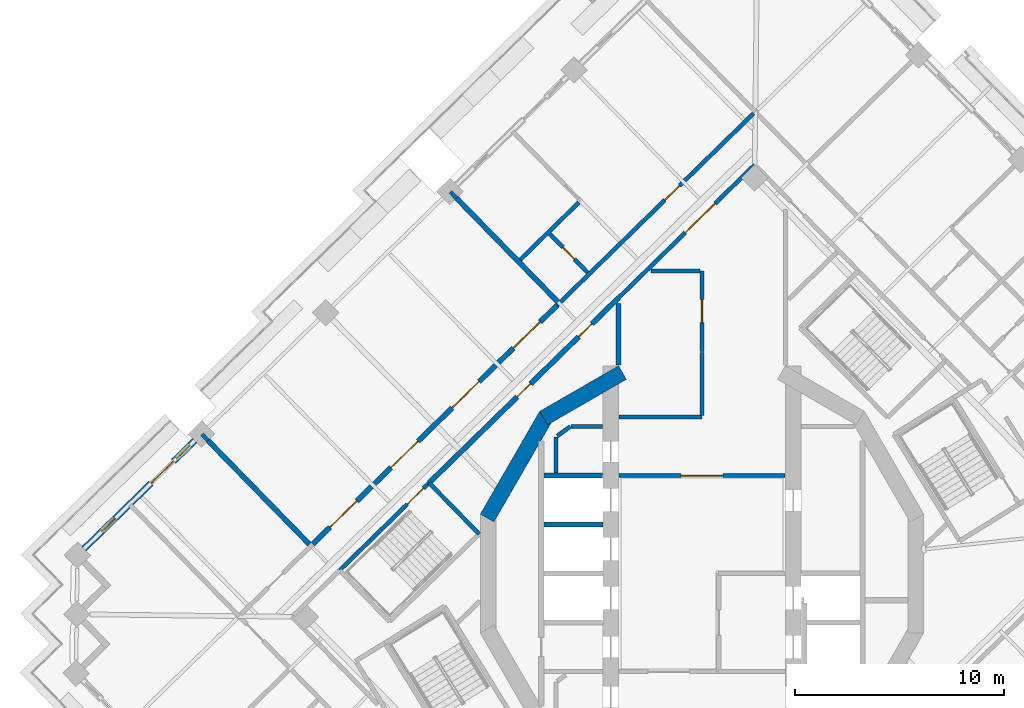
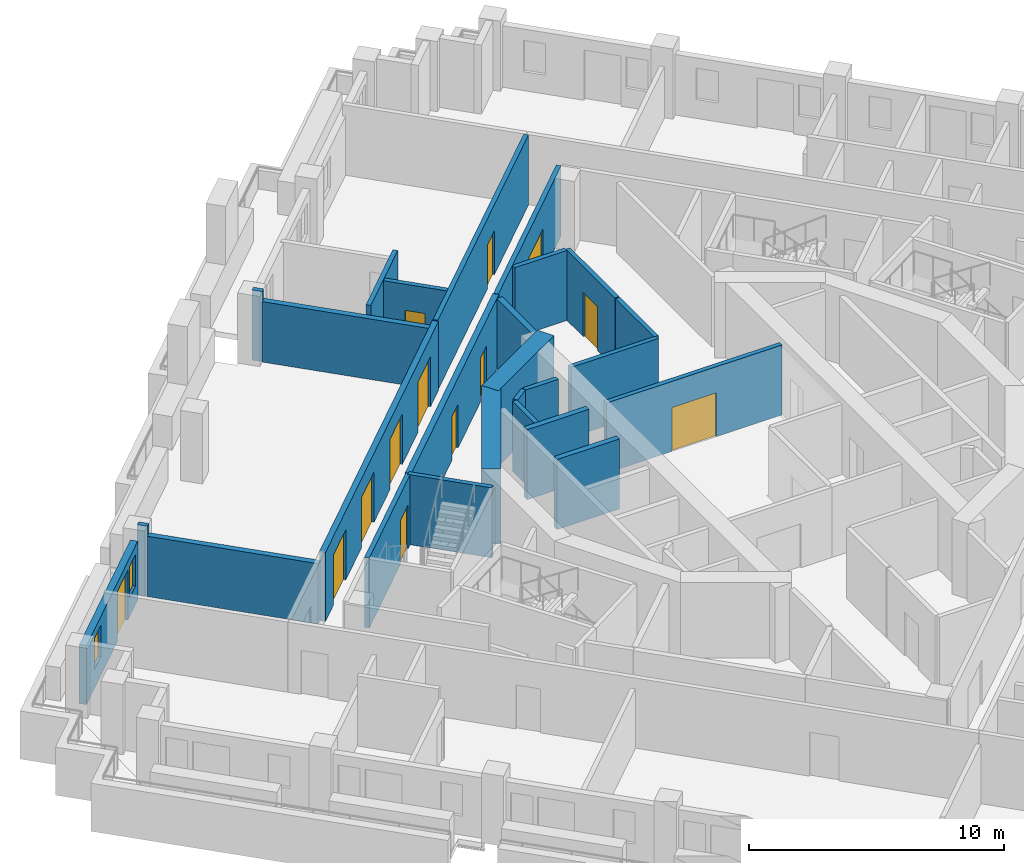
# One storey, part 8 of 17: 26 walls, 13 doors, 2 windows, 15 openings.
"""IFC4 building model written with IfcOpenShell, lengths in metres."""

from ifc_helpers import new_model, si_unit, direction, frame, frame_2d, origin, place, context, subcontext, project, spatial, rectangle, extrude, material, layer, layer_set, type_object, element, fill, save


model = new_model("IFC4")

# Units and contexts
model_context = context("Model", 3, precision=1e-05, world=origin(), true_north=direction((0.0, 1.0)))
body_context = subcontext(model_context, "Body", "Model", "MODEL_VIEW")
ifc_project = project(units=[si_unit("LENGTHUNIT", "METRE"), si_unit("AREAUNIT", "SQUARE_METRE"), si_unit("VOLUMEUNIT", "CUBIC_METRE"), si_unit("PLANEANGLEUNIT", "RADIAN"), si_unit("MASSUNIT", "GRAM", prefix="KILO")], contexts=[model_context])

# Site, building, storey
site_placement = place(None, origin())
site = spatial("IfcSite", under=ifc_project, at=site_placement, CompositionType="ELEMENT")
building_placement = place(site_placement, origin())
building = spatial("IfcBuilding", under=site, at=building_placement, Name="Cantera Rosa Tower", CompositionType="ELEMENT")
storey_placement = place(building_placement, frame((0.0, 0.0, 227.0)))
storey = spatial("IfcBuildingStorey", under=building, at=storey_placement, Name="L49", CompositionType="ELEMENT", Elevation=227.0)

# Wall, opening, door
ifc_material_1 = material(Name="Gypsum board partition")
ifc_layer_1 = layer(ifc_material_1, 0.199951171875)
ifc_layer_set_1 = layer_set([ifc_layer_1], Name="CORRIDOR WALL 200 H3350")
wall_type_1 = type_object("IfcWallType", Name="CORRIDOR WALL 200 H3350", PredefinedType="PARTITIONING", material=ifc_layer_set_1)
wall_1_placement = place(storey_placement, frame((-3.969970703125, 4.699951171875, 0.0), z_axis=(0.0, 0.0, 1.0), x_axis=(1.0, 0.0, 0.0)))
wall_1 = element("IfcWall", 1, at=wall_1_placement, inside=storey, type_object=wall_type_1, Name="CORRIDOR WALL L49-050", PredefinedType="PARTITIONING", context=body_context, shape_type="SweptSolid", body=[
    extrude(rectangle(XDim=7.93994140625, YDim=0.199951171875, at=frame_2d((3.969970703125, 0.0))), origin(), (0.0, 0.0, 1.0), 3.35009765625),
])
opening_1_placement = place(wall_1_placement, frame((2.969970703125, 0.0, 0.0)))
opening_1 = element("IfcOpeningElement", 2, at=opening_1_placement, cuts=wall_1, Name="Opening L49-014", PredefinedType="OPENING", context=body_context, shape_type="SweptSolid", body=[
    extrude(rectangle(XDim=2.0, YDim=2.10009765625, at=frame_2d((1.0, 1.050048828125))), frame((0.0, 0.10986328125, 0.0), z_axis=(0.0, -1.0, 0.0), x_axis=(1.0, 0.0, 0.0)), (0.0, 0.0, 1.0), 0.219970703125),
])
ifc_material_2 = material(Name="Steel S355J2 (EN 10025-2)", Category="steel")
door_type_1 = type_object("IfcDoorType", Name="LOBBY SCREEN DOOR 2000x2100", OperationType="NOTDEFINED", PredefinedType="DOOR", material=ifc_material_2)
door_1_placement = place(opening_1_placement, origin())
door_1 = element("IfcDoor", 3, at=door_1_placement, inside=storey, type_object=door_type_1, Name="DOOR L49-014", OperationType="NOTDEFINED", OverallHeight=2.10009765625, OverallWidth=2.0, PredefinedType="DOOR", context=body_context, shape_type="SweptSolid", body=[
    extrude(rectangle(XDim=2.0, YDim=2.10009765625, at=frame_2d((1.0, 1.050048828125))), frame((0.0, 0.02490234375, 0.0), z_axis=(0.0, -1.0, 0.0), x_axis=(1.0, 0.0, 0.0)), (0.0, 0.0, 1.0), 0.050048828125),
])
fill(opening_1, door_1)

# Walls
wall_2_placement = place(storey_placement, frame((-3.969970703125, 7.5, 0.0), z_axis=(0.0, 0.0, 1.0), x_axis=(1.0, 0.0, 0.0)))
element("IfcWall", 4, at=wall_2_placement, inside=storey, type_object=wall_type_1, Name="CORRIDOR WALL L49-051", PredefinedType="PARTITIONING", context=body_context, shape_type="SweptSolid", body=[
    extrude(rectangle(XDim=3.969970703125, YDim=0.199951171875, at=frame_2d((1.98486328125, 0.0))), origin(), (0.0, 0.0, 1.0), 3.35009765625),
])
wall_3_placement = place(storey_placement, frame((0.0, 7.580078125, 0.0), z_axis=(0.0, 0.0, 1.0), x_axis=(0.0, 1.0, 0.0)))
element("IfcWall", 5, at=wall_3_placement, inside=storey, type_object=wall_type_1, Name="CORRIDOR WALL L49-059", PredefinedType="PARTITIONING", context=body_context, shape_type="SweptSolid", body=[
    extrude(rectangle(XDim=3.01513671875, YDim=0.199951171875, at=frame_2d((1.507568359375, 0.0))), origin(), (0.0, 0.0, 1.0), 3.35009765625),
])

# Wall, opening, door
wall_4_placement = place(storey_placement, frame((0.0, 10.6552734375, 0.0), z_axis=(0.0, 0.0, 1.0), x_axis=(0.0, 1.0, 0.0)))
wall_4 = element("IfcWall", 6, at=wall_4_placement, inside=storey, type_object=wall_type_1, Name="CORRIDOR WALL L49-060", PredefinedType="PARTITIONING", context=body_context, shape_type="SweptSolid", body=[
    extrude(rectangle(XDim=3.8447265625, YDim=0.199951171875, at=frame_2d((1.92236328125, 0.0))), origin(), (0.0, 0.0, 1.0), 3.35009765625),
])
opening_2_placement = place(wall_4_placement, frame((1.372314453125, 0.0, 0.0)))
opening_2 = element("IfcOpeningElement", 7, at=opening_2_placement, cuts=wall_4, Name="Opening L49-018", PredefinedType="OPENING", context=body_context, shape_type="SweptSolid", body=[
    extrude(rectangle(XDim=1.10009765625, YDim=2.10009765625, at=frame_2d((0.550048828125, 1.050048828125))), frame((0.0, 0.10986328125, 0.0), z_axis=(0.0, -1.0, 0.0), x_axis=(1.0, 0.0, 0.0)), (0.0, 0.0, 1.0), 0.219970703125),
])
ifc_material_3 = material(Name="Timber door leaf", Category="wood")
door_type_2 = type_object("IfcDoorType", Name="ROOM DOOR 1100x2100", OperationType="NOTDEFINED", PredefinedType="DOOR", material=ifc_material_3)
door_2_placement = place(opening_2_placement, origin())
door_2 = element("IfcDoor", 8, at=door_2_placement, inside=storey, type_object=door_type_2, Name="DOOR L49-018", OperationType="NOTDEFINED", OverallHeight=2.10009765625, OverallWidth=1.10009765625, PredefinedType="DOOR", context=body_context, shape_type="SweptSolid", body=[
    extrude(rectangle(XDim=1.10009765625, YDim=2.10009765625, at=frame_2d((0.550048828125, 1.050048828125))), frame((0.0, 0.02490234375, 0.0), z_axis=(0.0, -1.0, 0.0), x_axis=(1.0, 0.0, 0.0)), (0.0, 0.0, 1.0), 0.050048828125),
])
fill(opening_2, door_2)

# Wall
wall_5_placement = place(storey_placement, frame((-0.10009765625, 14.5, 0.0), z_axis=(0.0, 0.0, 1.0), x_axis=(-1.0, 0.0, 0.0)))
element("IfcWall", 9, at=wall_5_placement, inside=storey, type_object=wall_type_1, Name="CORRIDOR WALL L49-061", PredefinedType="PARTITIONING", context=body_context, shape_type="SweptSolid", body=[
    extrude(rectangle(XDim=2.34765625, YDim=0.199951171875, at=frame_2d((1.173828125, 0.0))), origin(), (0.0, 0.0, 1.0), 3.35009765625),
])

# Wall, opening, door
wall_6_placement = place(storey_placement, frame((2.5263671875, 19.593994140625, 0.0), z_axis=(0.0, 0.0, 1.0), x_axis=(-0.715291692415, -0.698826011796, 0.0)))
wall_6 = element("IfcWall", 10, at=wall_6_placement, inside=storey, type_object=wall_type_1, Name="CORRIDOR WALL L49-066", PredefinedType="PARTITIONING", context=body_context, shape_type="SweptSolid", body=[
    extrude(rectangle(XDim=9.10400390625, YDim=0.199951171875, at=frame_2d((4.552001953125, 0.0))), origin(), (0.0, 0.0, 1.0), 3.35009765625),
])
opening_3_placement = place(wall_6_placement, frame((2.644775390625, 0.0, 0.0)))
opening_3 = element("IfcOpeningElement", 11, at=opening_3_placement, cuts=wall_6, Name="Opening L49-013", PredefinedType="OPENING", context=body_context, shape_type="SweptSolid", body=[
    extrude(rectangle(XDim=2.0, YDim=2.10009765625, at=frame_2d((1.0, 1.050048828125))), frame((0.0, 0.10986328125, 0.0), z_axis=(0.0, -1.0, 0.0), x_axis=(1.0, 0.0, 0.0)), (0.0, 0.0, 1.0), 0.219970703125),
])
door_3_placement = place(opening_3_placement, origin())
door_3 = element("IfcDoor", 12, at=door_3_placement, inside=storey, type_object=door_type_1, Name="DOOR L49-013", OperationType="NOTDEFINED", OverallHeight=2.10009765625, OverallWidth=2.0, PredefinedType="DOOR", context=body_context, shape_type="SweptSolid", body=[
    extrude(rectangle(XDim=2.0, YDim=2.10009765625, at=frame_2d((1.0, 1.050048828125))), frame((0.0, 0.02490234375, 0.0), z_axis=(0.0, -1.0, 0.0), x_axis=(1.0, 0.0, 0.0)), (0.0, 0.0, 1.0), 0.050048828125),
])
fill(opening_3, door_3)

wall_7_placement = place(storey_placement, frame((2.469970703125, 22.0556640625, 0.0), z_axis=(0.0, 0.0, 1.0), x_axis=(-0.715286788114, -0.698831031616, 0.0)))
wall_7 = element("IfcWall", 13, at=wall_7_placement, inside=storey, type_object=wall_type_1, Name="CORRIDOR WALL L49-067", PredefinedType="PARTITIONING", context=body_context, shape_type="SweptSolid", body=[
    extrude(rectangle(XDim=13.144775390625, YDim=0.199951171875, at=frame_2d((6.572265625, 0.0))), origin(), (0.0, 0.0, 1.0), 3.35009765625),
])
opening_4_placement = place(wall_7_placement, frame((4.949951171875, 0.0, 0.0)))
opening_4 = element("IfcOpeningElement", 14, at=opening_4_placement, cuts=wall_7, Name="Opening L49-034", PredefinedType="OPENING", context=body_context, shape_type="SweptSolid", body=[
    extrude(rectangle(XDim=1.0, YDim=2.10009765625, at=frame_2d((0.5, 1.050048828125))), frame((0.0, 0.10986328125, 0.0), z_axis=(0.0, -1.0, 0.0), x_axis=(1.0, 0.0, 0.0)), (0.0, 0.0, 1.0), 0.219970703125),
])
ifc_material_4 = material(Name="Timber door leaf", Category="wood")
door_type_3 = type_object("IfcDoorType", Name="ENTRANCE DOOR 1000x2100", OperationType="NOTDEFINED", PredefinedType="DOOR", material=ifc_material_4)
door_4_placement = place(opening_4_placement, origin())
door_4 = element("IfcDoor", 15, at=door_4_placement, inside=storey, type_object=door_type_3, Name="DOOR L49-034", OperationType="NOTDEFINED", OverallHeight=2.10009765625, OverallWidth=1.0, PredefinedType="DOOR", context=body_context, shape_type="SweptSolid", body=[
    extrude(rectangle(XDim=1.0, YDim=2.10009765625, at=frame_2d((0.5, 1.050048828125))), frame((0.0, 0.02490234375, 0.0), z_axis=(0.0, -1.0, 0.0), x_axis=(1.0, 0.0, 0.0)), (0.0, 0.0, 1.0), 0.050048828125),
])
fill(opening_4, door_4)

# Wall, openings, windows, door
ifc_material_5 = material(Name="Hollow clay masonry with cantera stone cladding", Category="masonry")
ifc_layer_2 = layer(ifc_material_5, 0.300048828125)
ifc_layer_set_2 = layer_set([ifc_layer_2], Name="EW-LOGGIA 300 H2820")
wall_type_2 = type_object("IfcWallType", Name="EW-LOGGIA 300 H2820", PredefinedType="SOLIDWALL", material=ifc_layer_set_2)
wall_8_placement = place(storey_placement, frame((-24.308349609375, 6.37841796875, 0.0), z_axis=(0.0, 0.0, 1.0), x_axis=(-0.715300826176, -0.698816662703, 0.0)))
wall_8 = element("IfcWall", 16, at=wall_8_placement, inside=storey, type_object=wall_type_2, Name="EN-L49-W11", PredefinedType="SOLIDWALL", context=body_context, shape_type="SweptSolid", body=[
    extrude(rectangle(XDim=7.420166015625, YDim=0.300048828125, at=frame_2d((3.7099609375, 0.0))), origin(), (0.0, 0.0, 1.0), 2.820068359375),
])
opening_5_placement = place(wall_8_placement, frame((0.330078125, 0.0, 0.89990234375)))
opening_5 = element("IfcOpeningElement", 17, at=opening_5_placement, cuts=wall_8, Name="Opening L49-W19", PredefinedType="OPENING", context=body_context, shape_type="SweptSolid", body=[
    extrude(rectangle(XDim=0.89990234375, YDim=1.5, at=frame_2d((0.449951171875, 0.75))), frame((0.0, 0.159912109375, 0.0), z_axis=(0.0, -1.0, 0.0), x_axis=(1.0, 0.0, 0.0)), (0.0, 0.0, 1.0), 0.320068359375),
])
opening_6_placement = place(wall_8_placement, frame((1.429931640625, 0.0, 0.0)))
opening_6 = element("IfcOpeningElement", 18, at=opening_6_placement, cuts=wall_8, Name="Opening L49-TD20", PredefinedType="OPENING", context=body_context, shape_type="SweptSolid", body=[
    extrude(rectangle(XDim=1.5, YDim=2.39990234375, at=frame_2d((0.75, 1.199951171875))), frame((0.0, 0.159912109375, 0.0), z_axis=(0.0, -1.0, 0.0), x_axis=(1.0, 0.0, 0.0)), (0.0, 0.0, 1.0), 0.320068359375),
])
opening_7_placement = place(wall_8_placement, frame((5.340087890625, 0.0, 0.89990234375)))
opening_7 = element("IfcOpeningElement", 19, at=opening_7_placement, cuts=wall_8, Name="Opening L49-W21", PredefinedType="OPENING", context=body_context, shape_type="SweptSolid", body=[
    extrude(rectangle(XDim=0.89990234375, YDim=1.5, at=frame_2d((0.449951171875, 0.75))), frame((0.0, 0.159912109375, 0.0), z_axis=(0.0, -1.0, 0.0), x_axis=(1.0, 0.0, 0.0)), (0.0, 0.0, 1.0), 0.320068359375),
])
ifc_material_6 = material(Name="Aluminium frame with clear glass", Category="aluminium")
window_type = type_object("IfcWindowType", Name="Residential window 900x1500", PartitioningType="SINGLE_PANEL", PredefinedType="WINDOW", material=ifc_material_6)
window_1_placement = place(opening_5_placement, origin())
window_1 = element("IfcWindow", 20, at=window_1_placement, inside=storey, type_object=window_type, Name="WINDOW L49-W19", OverallHeight=1.5, OverallWidth=0.89990234375, PartitioningType="SINGLE_PANEL", PredefinedType="WINDOW", context=body_context, shape_type="SweptSolid", body=[
    extrude(rectangle(XDim=0.89990234375, YDim=1.5, at=frame_2d((0.449951171875, 0.75))), frame((0.0, 0.030029296875, 0.0), z_axis=(0.0, -1.0, 0.0), x_axis=(1.0, 0.0, 0.0)), (0.0, 0.0, 1.0), 0.06005859375),
])
fill(opening_5, window_1)
window_2_placement = place(opening_7_placement, origin())
window_2 = element("IfcWindow", 21, at=window_2_placement, inside=storey, type_object=window_type, Name="WINDOW L49-W21", OverallHeight=1.5, OverallWidth=0.89990234375, PartitioningType="SINGLE_PANEL", PredefinedType="WINDOW", context=body_context, shape_type="SweptSolid", body=[
    extrude(rectangle(XDim=0.89990234375, YDim=1.5, at=frame_2d((0.449951171875, 0.75))), frame((0.0, 0.030029296875, 0.0), z_axis=(0.0, -1.0, 0.0), x_axis=(1.0, 0.0, 0.0)), (0.0, 0.0, 1.0), 0.06005859375),
])
fill(opening_7, window_2)
ifc_material_7 = material(Name="Aluminium frame with clear glass", Category="aluminium")
door_type_4 = type_object("IfcDoorType", Name="TD-R 1500x2400", OperationType="NOTDEFINED", PredefinedType="DOOR", material=ifc_material_7)
door_5_placement = place(opening_6_placement, origin())
door_5 = element("IfcDoor", 22, at=door_5_placement, inside=storey, type_object=door_type_4, Name="LOGGIA DOOR L49-TD20", OperationType="SLIDING_TO_LEFT", OverallHeight=2.39990234375, OverallWidth=1.5, PredefinedType="DOOR", context=body_context, shape_type="SweptSolid", body=[
    extrude(rectangle(XDim=1.5, YDim=2.39990234375, at=frame_2d((0.75, 1.199951171875))), frame((0.0, 0.02490234375, 0.0), z_axis=(0.0, -1.0, 0.0), x_axis=(1.0, 0.0, 0.0)), (0.0, 0.0, 1.0), 0.050048828125),
])
fill(opening_6, door_5)

# Walls
ifc_material_8 = material(Name="Concrete C40/50", Category="concrete")
ifc_layer_3 = layer(ifc_material_8, 0.25)
ifc_layer_set_3 = layer_set([ifc_layer_3], Name="EW-POCKET CHEEK 250 H2890")
wall_type_3 = type_object("IfcWallType", Name="EW-POCKET CHEEK 250 H2890", PredefinedType="SOLIDWALL", material=ifc_layer_set_3)
wall_9_placement = place(storey_placement, frame((-11.769775390625, 17.999755859375, 0.0), z_axis=(0.0, 0.0, 1.0), x_axis=(0.698821460183, -0.715296139223, 0.0)))
element("IfcWall", 23, at=wall_9_placement, inside=storey, type_object=wall_type_3, Name="POCKET CHEEK A L49", PredefinedType="SOLIDWALL", context=body_context, shape_type="SweptSolid", body=[
    extrude(rectangle(XDim=6.9501953125, YDim=0.25, at=frame_2d((3.47509765625, 0.0))), origin(), (0.0, 0.0, 1.0), 2.889892578125),
])
wall_10_placement = place(storey_placement, frame((-23.672119140625, 6.37109375, 0.0), z_axis=(0.0, 0.0, 1.0), x_axis=(0.69883901927, -0.715278984135, 0.0)))
element("IfcWall", 24, at=wall_10_placement, inside=storey, type_object=wall_type_3, Name="POCKET CHEEK B L49", PredefinedType="SOLIDWALL", context=body_context, shape_type="SweptSolid", body=[
    extrude(rectangle(XDim=6.949951171875, YDim=0.25, at=frame_2d((3.47509765625, 0.0))), origin(), (0.0, 0.0, 1.0), 2.889892578125),
])

# Wall, openings, doors
ifc_material_9 = material(Name="Hollow clay masonry with cantera stone cladding", Category="masonry")
ifc_layer_4 = layer(ifc_material_9, 0.25)
ifc_layer_set_4 = layer_set([ifc_layer_4], Name="EW-POCKET REAR 250")
wall_type_4 = type_object("IfcWallType", Name="EW-POCKET REAR 250", PredefinedType="SOLIDWALL", material=ifc_layer_set_4)
wall_11_placement = place(storey_placement, frame((-6.932373046875, 12.86962890625, 0.0), z_axis=(0.0, 0.0, 1.0), x_axis=(-0.715288729217, -0.698829044799, 0.0)))
wall_11 = element("IfcWall", 25, at=wall_11_placement, inside=storey, type_object=wall_type_4, Name="POCKET REAR L49", PredefinedType="SOLIDWALL", context=body_context, shape_type="SweptSolid", body=[
    extrude(rectangle(XDim=16.39013671875, YDim=0.25, at=frame_2d((8.195068359375, 0.0))), origin(), (0.0, 0.0, 1.0), 3.300048828125),
])
opening_8_placement = place(wall_11_placement, frame((1.148681640625, 0.0, 0.0)))
opening_8 = element("IfcOpeningElement", 26, at=opening_8_placement, cuts=wall_11, Name="Opening L49-LT01", PredefinedType="OPENING", context=body_context, shape_type="SweptSolid", body=[
    extrude(rectangle(XDim=1.800048828125, YDim=2.39990234375, at=frame_2d((0.89990234375, 1.199951171875))), frame((0.0, 0.135009765625, 0.0), z_axis=(0.0, -1.0, 0.0), x_axis=(1.0, 0.0, 0.0)), (0.0, 0.0, 1.0), 0.27001953125),
])
opening_9_placement = place(wall_11_placement, frame((5.246337890625, 0.0, 0.0)))
opening_9 = element("IfcOpeningElement", 27, at=opening_9_placement, cuts=wall_11, Name="Opening L49-LT02", PredefinedType="OPENING", context=body_context, shape_type="SweptSolid", body=[
    extrude(rectangle(XDim=1.800048828125, YDim=2.39990234375, at=frame_2d((0.89990234375, 1.199951171875))), frame((0.0, 0.135009765625, 0.0), z_axis=(0.0, -1.0, 0.0), x_axis=(1.0, 0.0, 0.0)), (0.0, 0.0, 1.0), 0.27001953125),
])
opening_10_placement = place(wall_11_placement, frame((9.34375, 0.0, 0.0)))
opening_10 = element("IfcOpeningElement", 28, at=opening_10_placement, cuts=wall_11, Name="Opening L49-LT03", PredefinedType="OPENING", context=body_context, shape_type="SweptSolid", body=[
    extrude(rectangle(XDim=1.800048828125, YDim=2.39990234375, at=frame_2d((0.89990234375, 1.199951171875))), frame((0.0, 0.135009765625, 0.0), z_axis=(0.0, -1.0, 0.0), x_axis=(1.0, 0.0, 0.0)), (0.0, 0.0, 1.0), 0.27001953125),
])
opening_11_placement = place(wall_11_placement, frame((13.441162109375, 0.0, 0.0)))
opening_11 = element("IfcOpeningElement", 29, at=opening_11_placement, cuts=wall_11, Name="Opening L49-LT04", PredefinedType="OPENING", context=body_context, shape_type="SweptSolid", body=[
    extrude(rectangle(XDim=1.800048828125, YDim=2.39990234375, at=frame_2d((0.89990234375, 1.199951171875))), frame((0.0, 0.135009765625, 0.0), z_axis=(0.0, -1.0, 0.0), x_axis=(1.0, 0.0, 0.0)), (0.0, 0.0, 1.0), 0.27001953125),
])
ifc_material_10 = material(Name="Aluminium frame with clear glass", Category="aluminium")
door_type_5 = type_object("IfcDoorType", Name="TD-T 1800x2400", OperationType="NOTDEFINED", PredefinedType="DOOR", material=ifc_material_10)
door_6_placement = place(opening_8_placement, origin())
door_6 = element("IfcDoor", 30, at=door_6_placement, inside=storey, type_object=door_type_5, Name="TERRACE DOOR L49-LT01", OperationType="DOUBLE_DOOR_SINGLE_SWING", OverallHeight=2.39990234375, OverallWidth=1.800048828125, PredefinedType="DOOR", context=body_context, shape_type="SweptSolid", body=[
    extrude(rectangle(XDim=1.800048828125, YDim=2.39990234375, at=frame_2d((0.89990234375, 1.199951171875))), frame((0.0, 0.02490234375, 0.0), z_axis=(0.0, -1.0, 0.0), x_axis=(1.0, 0.0, 0.0)), (0.0, 0.0, 1.0), 0.050048828125),
])
fill(opening_8, door_6)
door_7_placement = place(opening_9_placement, origin())
door_7 = element("IfcDoor", 31, at=door_7_placement, inside=storey, type_object=door_type_5, Name="TERRACE DOOR L49-LT02", OperationType="DOUBLE_DOOR_SINGLE_SWING", OverallHeight=2.39990234375, OverallWidth=1.800048828125, PredefinedType="DOOR", context=body_context, shape_type="SweptSolid", body=[
    extrude(rectangle(XDim=1.800048828125, YDim=2.39990234375, at=frame_2d((0.89990234375, 1.199951171875))), frame((0.0, 0.02490234375, 0.0), z_axis=(0.0, -1.0, 0.0), x_axis=(1.0, 0.0, 0.0)), (0.0, 0.0, 1.0), 0.050048828125),
])
fill(opening_9, door_7)
door_8_placement = place(opening_10_placement, origin())
door_8 = element("IfcDoor", 32, at=door_8_placement, inside=storey, type_object=door_type_5, Name="TERRACE DOOR L49-LT03", OperationType="DOUBLE_DOOR_SINGLE_SWING", OverallHeight=2.39990234375, OverallWidth=1.800048828125, PredefinedType="DOOR", context=body_context, shape_type="SweptSolid", body=[
    extrude(rectangle(XDim=1.800048828125, YDim=2.39990234375, at=frame_2d((0.89990234375, 1.199951171875))), frame((0.0, 0.02490234375, 0.0), z_axis=(0.0, -1.0, 0.0), x_axis=(1.0, 0.0, 0.0)), (0.0, 0.0, 1.0), 0.050048828125),
])
fill(opening_10, door_8)
door_9_placement = place(opening_11_placement, origin())
door_9 = element("IfcDoor", 33, at=door_9_placement, inside=storey, type_object=door_type_5, Name="TERRACE DOOR L49-LT04", OperationType="DOUBLE_DOOR_SINGLE_SWING", OverallHeight=2.39990234375, OverallWidth=1.800048828125, PredefinedType="DOOR", context=body_context, shape_type="SweptSolid", body=[
    extrude(rectangle(XDim=1.800048828125, YDim=2.39990234375, at=frame_2d((0.89990234375, 1.199951171875))), frame((0.0, 0.02490234375, 0.0), z_axis=(0.0, -1.0, 0.0), x_axis=(1.0, 0.0, 0.0)), (0.0, 0.0, 1.0), 0.050048828125),
])
fill(opening_11, door_9)

# Wall
ifc_material_11 = material(Name="Gypsum board partition")
ifc_layer_5 = layer(ifc_material_11, 0.199951171875)
ifc_layer_set_5 = layer_set([ifc_layer_5], Name="PARTITION 200 H3350")
wall_type_5 = type_object("IfcWallType", Name="PARTITION 200 H3350", PredefinedType="PARTITIONING", material=ifc_layer_set_5)
wall_12_placement = place(storey_placement, frame((-23.965576171875, 6.67138671875, 0.0), z_axis=(0.0, 0.0, 1.0), x_axis=(0.698919428836, -0.715200413867, 0.0)))
element("IfcWall", 34, at=wall_12_placement, inside=storey, type_object=wall_type_5, Name="PARTITION L49-002", PredefinedType="PARTITIONING", context=body_context, shape_type="SweptSolid", body=[
    extrude(rectangle(XDim=0.419921875, YDim=0.199951171875, at=frame_2d((0.2099609375, 0.0))), origin(), (0.0, 0.0, 1.0), 3.35009765625),
])

# Wall, opening, door
wall_13_placement = place(storey_placement, frame((-7.285400390625, 16.271484375, 0.0), z_axis=(0.0, 0.0, 1.0), x_axis=(0.698826236875, -0.715291472517, 0.0)))
wall_13 = element("IfcWall", 35, at=wall_13_placement, inside=storey, type_object=wall_type_5, Name="PARTITION L49-034", PredefinedType="PARTITIONING", context=body_context, shape_type="SweptSolid", body=[
    extrude(rectangle(XDim=2.580078125, YDim=0.199951171875, at=frame_2d((1.2900390625, 0.0))), origin(), (0.0, 0.0, 1.0), 3.35009765625),
])
opening_12_placement = place(wall_13_placement, frame((0.8798828125, 0.0, 0.0)))
opening_12 = element("IfcOpeningElement", 36, at=opening_12_placement, cuts=wall_13, Name="Opening L49-035", PredefinedType="OPENING", context=body_context, shape_type="SweptSolid", body=[
    extrude(rectangle(XDim=0.800048828125, YDim=2.10009765625, at=frame_2d((0.39990234375, 1.050048828125))), frame((0.0, 0.10986328125, 0.0), z_axis=(0.0, -1.0, 0.0), x_axis=(1.0, 0.0, 0.0)), (0.0, 0.0, 1.0), 0.219970703125),
])
ifc_material_12 = material(Name="Timber door leaf", Category="wood")
door_type_6 = type_object("IfcDoorType", Name="BATHROOM DOOR 800x2100", OperationType="NOTDEFINED", PredefinedType="DOOR", material=ifc_material_12)
door_10_placement = place(opening_12_placement, origin())
door_10 = element("IfcDoor", 37, at=door_10_placement, inside=storey, type_object=door_type_6, Name="DOOR L49-035", OperationType="NOTDEFINED", OverallHeight=2.10009765625, OverallWidth=0.800048828125, PredefinedType="DOOR", context=body_context, shape_type="SweptSolid", body=[
    extrude(rectangle(XDim=0.800048828125, YDim=2.10009765625, at=frame_2d((0.39990234375, 1.050048828125))), frame((0.0, 0.02490234375, 0.0), z_axis=(0.0, -1.0, 0.0), x_axis=(1.0, 0.0, 0.0)), (0.0, 0.0, 1.0), 0.050048828125),
])
fill(opening_12, door_10)

# Walls
wall_14_placement = place(storey_placement, frame((-7.0, 4.824951171875, 0.0), z_axis=(0.0, 0.0, 1.0), x_axis=(0.0, 1.0, 0.0)))
element("IfcWall", 38, at=wall_14_placement, inside=storey, type_object=wall_type_5, Name="PARTITION L49-037", PredefinedType="PARTITIONING", context=body_context, shape_type="SweptSolid", body=[
    extrude(rectangle(XDim=1.72509765625, YDim=0.199951171875, at=frame_2d((0.862548828125, 0.0))), origin(), (0.0, 0.0, 1.0), 3.35009765625),
])
wall_15_placement = place(storey_placement, frame((-6.935302734375, 6.59716796875, 0.0), z_axis=(0.0, 0.0, 1.0), x_axis=(0.808227862651, 0.588869868506, 0.0)))
element("IfcWall", 39, at=wall_15_placement, inside=storey, type_object=wall_type_5, Name="PARTITION L49-038", PredefinedType="PARTITIONING", context=body_context, shape_type="SweptSolid", body=[
    extrude(rectangle(XDim=0.76904296875, YDim=0.199951171875, at=frame_2d((0.384521484375, 0.0))), origin(), (0.0, 0.0, 1.0), 3.35009765625),
])
wall_16_placement = place(storey_placement, frame((-6.273681640625, 7.050048828125, 0.0), z_axis=(0.0, 0.0, 1.0), x_axis=(1.0, 0.0, 0.0)))
element("IfcWall", 40, at=wall_16_placement, inside=storey, type_object=wall_type_5, Name="PARTITION L49-041", PredefinedType="PARTITIONING", context=body_context, shape_type="SweptSolid", body=[
    extrude(rectangle(XDim=1.49365234375, YDim=0.199951171875, at=frame_2d((0.746826171875, 0.0))), origin(), (0.0, 0.0, 1.0), 3.35009765625),
])
wall_17_placement = place(storey_placement, frame((-5.909912109375, 17.782958984375, 0.0), z_axis=(0.0, 0.0, 1.0), x_axis=(-0.715311491294, -0.698805745843, 0.0)))
element("IfcWall", 41, at=wall_17_placement, inside=storey, type_object=wall_type_5, Name="PARTITION L49-042", PredefinedType="PARTITIONING", context=body_context, shape_type="SweptSolid", body=[
    extrude(rectangle(XDim=3.90478515625, YDim=0.199951171875, at=frame_2d((1.952392578125, 0.0))), origin(), (0.0, 0.0, 1.0), 3.35009765625),
])
ifc_material_13 = material(Name="Gypsum board partition")
ifc_layer_6 = layer(ifc_material_13, 0.199951171875)
ifc_layer_set_6 = layer_set([ifc_layer_6], Name="PARTY WALL 200 H3350")
wall_type_6 = type_object("IfcWallType", Name="PARTY WALL 200 H3350", PredefinedType="PARTITIONING", material=ifc_layer_set_6)
wall_18_placement = place(storey_placement, frame((-11.769775390625, 17.999755859375, 0.0), z_axis=(0.0, 0.0, 1.0), x_axis=(-0.698919428836, 0.715200413867, 0.0)))
element("IfcWall", 42, at=wall_18_placement, inside=storey, type_object=wall_type_6, Name="PARTY WALL L49-039", PredefinedType="PARTITIONING", context=body_context, shape_type="SweptSolid", body=[
    extrude(rectangle(XDim=0.419921875, YDim=0.199951171875, at=frame_2d((0.2099609375, 0.0))), origin(), (0.0, 0.0, 1.0), 3.35009765625),
])
ifc_material_14 = material(Name="Concrete C60/75", Category="concrete")
ifc_layer_7 = layer(ifc_material_14, 0.75)
ifc_layer_set_7 = layer_set([ifc_layer_7], Name="RC CORE WALL 750 C60/75")
wall_type_7 = type_object("IfcWallType", Name="RC CORE WALL 750 C60/75", PredefinedType="SHEAR", material=ifc_layer_set_7)
wall_19_placement = place(storey_placement, frame((-10.300537109375, 2.659423828125, 0.0), z_axis=(0.0, 0.0, 1.0), x_axis=(0.500021842983, 0.866012792365, 0.0)))
element("IfcWall", 43, at=wall_19_placement, inside=storey, type_object=wall_type_7, Name="CW-W4 L49", PredefinedType="SHEAR", context=body_context, shape_type="SweptSolid", body=[
    extrude(rectangle(XDim=5.694091796875, YDim=0.75, at=frame_2d((2.84716796875, 0.0))), origin(), (0.0, 0.0, 1.0), 3.60009765625),
])
wall_20_placement = place(storey_placement, frame((-7.590576171875, 7.453369140625, 0.0), z_axis=(0.0, 0.0, 1.0), x_axis=(0.866013176292, 0.50002117804, 0.0)))
element("IfcWall", 44, at=wall_20_placement, inside=storey, type_object=wall_type_7, Name="CW-W5 L49", PredefinedType="SHEAR", context=body_context, shape_type="SweptSolid", body=[
    extrude(rectangle(XDim=4.362548828125, YDim=0.75, at=frame_2d((2.18115234375, 0.0))), origin(), (0.0, 0.0, 1.0), 3.60009765625),
])
ifc_material_15 = material(Name="Masonry blockwork", Category="masonry")
ifc_layer_8 = layer(ifc_material_15, 0.25)
ifc_layer_set_8 = layer_set([ifc_layer_8], Name="SHAFT WALL 250 H3350")
wall_type_8 = type_object("IfcWallType", Name="SHAFT WALL 250 H3350", PredefinedType="SOLIDWALL", material=ifc_layer_set_8)
wall_21_placement = place(storey_placement, frame((-7.574951171875, 2.35009765625, 0.0), z_axis=(0.0, 0.0, 1.0), x_axis=(1.0, 0.0, 0.0)))
element("IfcWall", 45, at=wall_21_placement, inside=storey, type_object=wall_type_8, Name="SHAFT WALL L49-031", PredefinedType="SOLIDWALL", context=body_context, shape_type="SweptSolid", body=[
    extrude(rectangle(XDim=2.824951171875, YDim=0.25, at=frame_2d((1.41259765625, 0.0))), origin(), (0.0, 0.0, 1.0), 3.35009765625),
])
wall_22_placement = place(storey_placement, frame((-7.574951171875, 4.699951171875, 0.0), z_axis=(0.0, 0.0, 1.0), x_axis=(1.0, 0.0, 0.0)))
element("IfcWall", 46, at=wall_22_placement, inside=storey, type_object=wall_type_8, Name="SHAFT WALL L49-032", PredefinedType="SOLIDWALL", context=body_context, shape_type="SweptSolid", body=[
    extrude(rectangle(XDim=2.794921875, YDim=0.25, at=frame_2d((1.3974609375, 0.0))), origin(), (0.0, 0.0, 1.0), 3.35009765625),
])

# Wall, openings, doors
wall_23_placement = place(storey_placement, frame((-4.0, 13.218017578125, 0.0), z_axis=(0.0, 0.0, 1.0), x_axis=(-0.715292314658, -0.698825374891, 0.0)))
wall_23 = element("IfcWall", 47, at=wall_23_placement, inside=storey, type_object=wall_type_8, Name="SHAFT WALL L49-048", PredefinedType="SOLIDWALL", context=body_context, shape_type="SweptSolid", body=[
    extrude(rectangle(XDim=12.691162109375, YDim=0.25, at=frame_2d((6.345703125, 0.0))), origin(), (0.0, 0.0, 1.0), 3.35009765625),
])
opening_13_placement = place(wall_23_placement, frame((1.77099609375, 0.0, 0.0)))
opening_13 = element("IfcOpeningElement", 48, at=opening_13_placement, cuts=wall_23, Name="Opening L49-008", PredefinedType="OPENING", context=body_context, shape_type="SweptSolid", body=[
    extrude(rectangle(XDim=0.89990234375, YDim=2.10009765625, at=frame_2d((0.449951171875, 1.050048828125))), frame((0.0, 0.135009765625, 0.0), z_axis=(0.0, -1.0, 0.0), x_axis=(1.0, 0.0, 0.0)), (0.0, 0.0, 1.0), 0.27001953125),
])
opening_14_placement = place(wall_23_placement, frame((5.8955078125, 0.0, 0.0)))
opening_14 = element("IfcOpeningElement", 49, at=opening_14_placement, cuts=wall_23, Name="Opening L49-052", PredefinedType="OPENING", context=body_context, shape_type="SweptSolid", body=[
    extrude(rectangle(XDim=0.89990234375, YDim=2.10009765625, at=frame_2d((0.449951171875, 1.050048828125))), frame((0.0, 0.135009765625, 0.0), z_axis=(0.0, -1.0, 0.0), x_axis=(1.0, 0.0, 0.0)), (0.0, 0.0, 1.0), 0.27001953125),
])
ifc_material_16 = material(Name="Timber door leaf", Category="wood")
door_type_7 = type_object("IfcDoorType", Name="SERVICE DOOR 900x2100", OperationType="NOTDEFINED", PredefinedType="DOOR", material=ifc_material_16)
door_11_placement = place(opening_13_placement, origin())
door_11 = element("IfcDoor", 50, at=door_11_placement, inside=storey, type_object=door_type_7, Name="RISER DOOR L49-008", OperationType="NOTDEFINED", OverallHeight=2.10009765625, OverallWidth=0.89990234375, PredefinedType="DOOR", context=body_context, shape_type="SweptSolid", body=[
    extrude(rectangle(XDim=0.89990234375, YDim=2.10009765625, at=frame_2d((0.449951171875, 1.050048828125))), frame((0.0, 0.02490234375, 0.0), z_axis=(0.0, -1.0, 0.0), x_axis=(1.0, 0.0, 0.0)), (0.0, 0.0, 1.0), 0.050048828125),
])
fill(opening_13, door_11)
door_12_placement = place(opening_14_placement, origin())
door_12 = element("IfcDoor", 51, at=door_12_placement, inside=storey, type_object=door_type_7, Name="RISER DOOR L49-052", OperationType="NOTDEFINED", OverallHeight=2.10009765625, OverallWidth=0.89990234375, PredefinedType="DOOR", context=body_context, shape_type="SweptSolid", body=[
    extrude(rectangle(XDim=0.89990234375, YDim=2.10009765625, at=frame_2d((0.449951171875, 1.050048828125))), frame((0.0, 0.02490234375, 0.0), z_axis=(0.0, -1.0, 0.0), x_axis=(1.0, 0.0, 0.0)), (0.0, 0.0, 1.0), 0.050048828125),
])
fill(opening_14, door_12)

# Wall
wall_24_placement = place(storey_placement, frame((-4.0, 12.93798828125, 0.0), z_axis=(0.0, 0.0, 1.0), x_axis=(0.0, -1.0, 0.0)))
element("IfcWall", 52, at=wall_24_placement, inside=storey, type_object=wall_type_8, Name="SHAFT WALL L49-049", PredefinedType="SOLIDWALL", context=body_context, shape_type="SweptSolid", body=[
    extrude(rectangle(XDim=2.94384765625, YDim=0.25, at=frame_2d((1.471923828125, 0.0))), origin(), (0.0, 0.0, 1.0), 3.35009765625),
])

# Wall, opening, door
ifc_material_17 = material(Name="Concrete C50/60", Category="concrete")
ifc_layer_9 = layer(ifc_material_17, 0.199951171875)
ifc_layer_set_9 = layer_set([ifc_layer_9], Name="STAIR WALL 200 H3350")
wall_type_9 = type_object("IfcWallType", Name="STAIR WALL 200 H3350", PredefinedType="SOLIDWALL", material=ifc_layer_set_9)
wall_25_placement = place(storey_placement, frame((-13.077880859375, 4.34912109375, 0.0), z_axis=(0.0, 0.0, 1.0), x_axis=(-0.715278260946, -0.698839759471, 0.0)))
wall_25 = element("IfcWall", 53, at=wall_25_placement, inside=storey, type_object=wall_type_9, Name="STAIR WALL L49-016", PredefinedType="SOLIDWALL", context=body_context, shape_type="SweptSolid", body=[
    extrude(rectangle(XDim=6.0, YDim=0.199951171875, at=frame_2d((3.0, 0.0))), origin(), (0.0, 0.0, 1.0), 3.35009765625),
])
opening_15_placement = place(wall_25_placement, frame((0.375, 0.0, 0.0)))
opening_15 = element("IfcOpeningElement", 54, at=opening_15_placement, cuts=wall_25, Name="Opening L49-004", PredefinedType="OPENING", context=body_context, shape_type="SweptSolid", body=[
    extrude(rectangle(XDim=1.10009765625, YDim=2.10009765625, at=frame_2d((0.550048828125, 1.050048828125))), frame((0.0, 0.10986328125, 0.0), z_axis=(0.0, -1.0, 0.0), x_axis=(1.0, 0.0, 0.0)), (0.0, 0.0, 1.0), 0.219970703125),
])
ifc_material_18 = material(Name="Steel S355J2 (EN 10025-2)", Category="steel")
door_type_8 = type_object("IfcDoorType", Name="STAIR DOOR 1100x2100", OperationType="NOTDEFINED", PredefinedType="DOOR", material=ifc_material_18)
door_13_placement = place(opening_15_placement, origin())
door_13 = element("IfcDoor", 55, at=door_13_placement, inside=storey, type_object=door_type_8, Name="DOOR L49-004", OperationType="NOTDEFINED", OverallHeight=2.10009765625, OverallWidth=1.10009765625, PredefinedType="DOOR", context=body_context, shape_type="SweptSolid", body=[
    extrude(rectangle(XDim=1.10009765625, YDim=2.10009765625, at=frame_2d((0.550048828125, 1.050048828125))), frame((0.0, 0.02490234375, 0.0), z_axis=(0.0, -1.0, 0.0), x_axis=(1.0, 0.0, 0.0)), (0.0, 0.0, 1.0), 0.050048828125),
])
fill(opening_15, door_13)

# Wall
wall_26_placement = place(storey_placement, frame((-10.68359375, 1.8984375, 0.0), z_axis=(0.0, 0.0, 1.0), x_axis=(-0.698828566482, 0.715289196527, 0.0)))
element("IfcWall", 56, at=wall_26_placement, inside=storey, type_object=wall_type_9, Name="STAIR WALL L49-025", PredefinedType="SOLIDWALL", context=body_context, shape_type="SweptSolid", body=[
    extrude(rectangle(XDim=3.426025390625, YDim=0.199951171875, at=frame_2d((1.712890625, 0.0))), origin(), (0.0, 0.0, 1.0), 3.35009765625),
])

save(model, "model.ifc")
